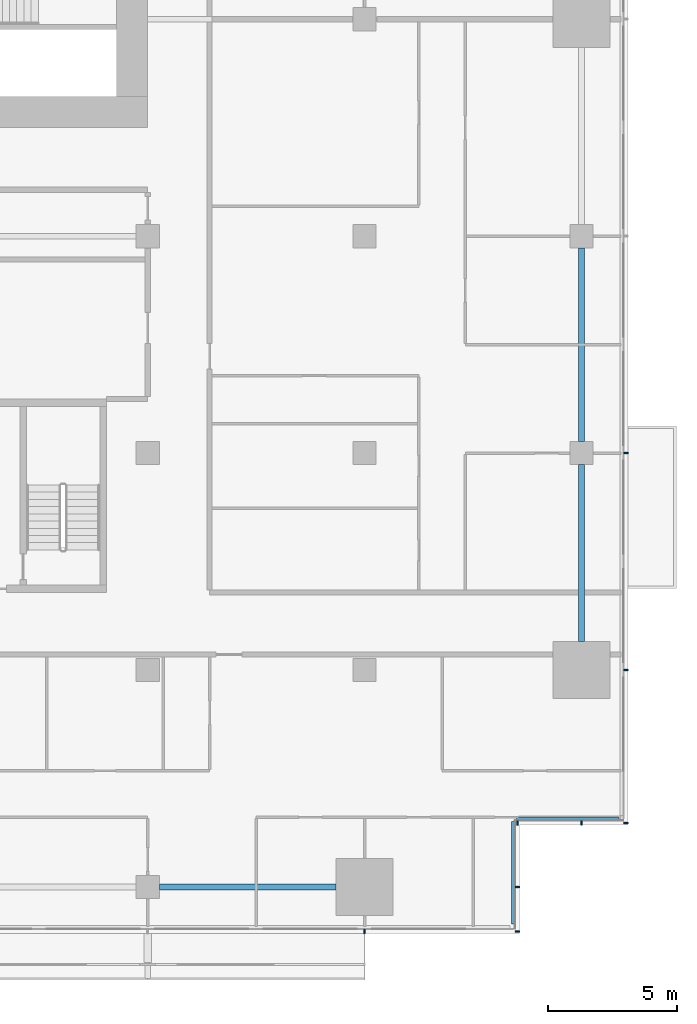
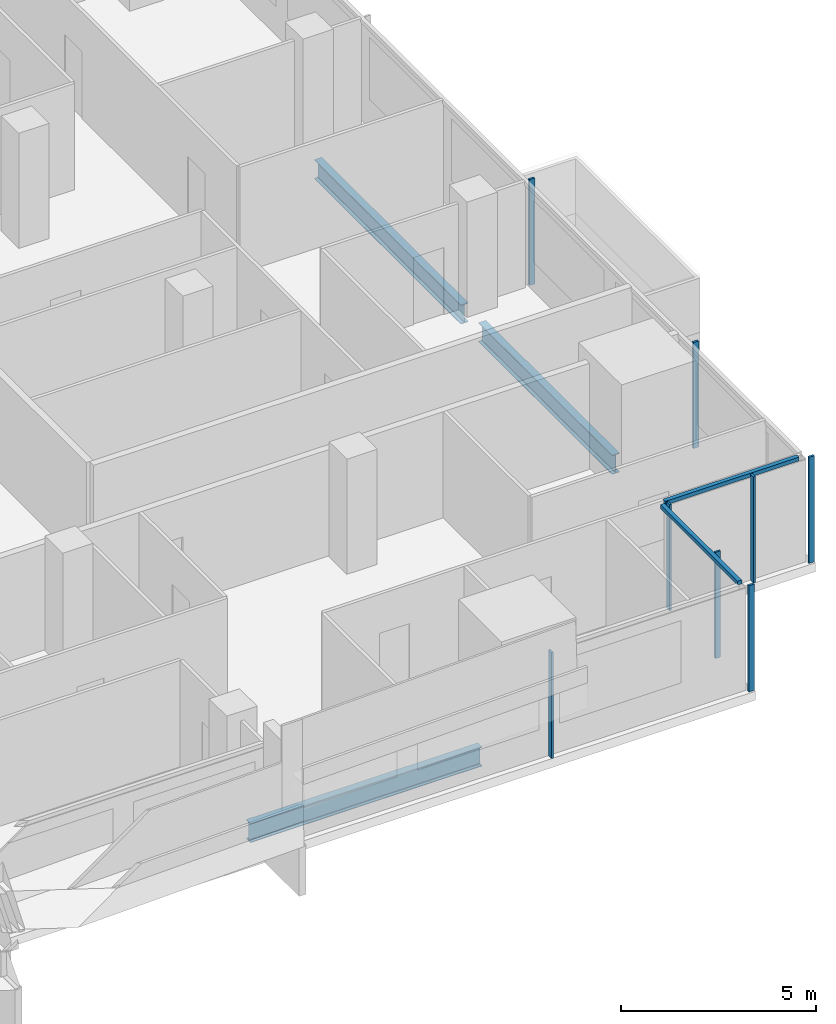
# One storey, part 11 of 27: 10 members, 3 beams, 4 elements without a shape of their own.
"""IFC4 building model written with IfcOpenShell, lengths in metres."""

from ifc_helpers import new_model, si_unit, direction, frame, origin, origin_2d, place, context, subcontext, project, spatial, rectangle, i_section, extrude, material, material_profile, profile_set, type_object, element, aggregate, save


model = new_model("IFC4")

# Units and contexts
model_context = context("Model", 3, precision=1e-05, world=origin(), true_north=direction((0.0, 1.0)))
body_context = subcontext(model_context, "Body", "Model", "MODEL_VIEW")
ifc_project = project(units=[si_unit("LENGTHUNIT", "METRE"), si_unit("AREAUNIT", "SQUARE_METRE"), si_unit("VOLUMEUNIT", "CUBIC_METRE"), si_unit("PLANEANGLEUNIT", "RADIAN"), si_unit("MASSUNIT", "GRAM", prefix="KILO")], contexts=[model_context])

# Site, building, storey
site_placement = place(None, origin())
site = spatial("IfcSite", under=ifc_project, at=site_placement, CompositionType="ELEMENT")
building_placement = place(site_placement, origin())
building = spatial("IfcBuilding", under=site, at=building_placement, Name="Saffron Gate Tower", CompositionType="ELEMENT")
storey_placement = place(building_placement, frame((0.0, 0.0, 66.0)))
storey = spatial("IfcBuildingStorey", under=building, at=storey_placement, Name="L15", CompositionType="ELEMENT", Elevation=66.0)

# Beams
ifc_material_1 = material(Name="Structural steel S355", Category="steel")
ifc_material_profile_1 = material_profile(ifc_material_1, i_section(OverallWidth=0.219970703125, OverallDepth=0.60009765625, WebThickness=0.011962890625, FlangeThickness=0.01904296875, FilletRadius=0.02392578125, at=origin_2d()))
ifc_profile_set_1 = profile_set([ifc_material_profile_1], Name="Structural steel S355")
beam_type = type_object("IfcBeamType", Name="B16 IPE 600", PredefinedType="SPANDREL", material=ifc_profile_set_1)
for number, where, z_axis, x_axis, name in (
    (1, (109.050048828125, 31.800048828125, -0.580078125), (1.0, 0.0, 0.0), (0.0, 1.0, 0.0), "B16 SPANDREL BEAM"),
    (2, (125.39990234375, 41.300048828125, -0.580078125), (0.0, 1.0, 0.0), (-1.0, 0.0, 0.0), "B16 SPANDREL BEAM"),
):
    element("IfcBeam", number, at=place(storey_placement, frame(where, z_axis=z_axis, x_axis=x_axis)), inside=storey, type_object=beam_type, Name=name, PredefinedType="SPANDREL", context=body_context, shape_type="SweptSolid", body=[
        extrude(i_section(OverallWidth=0.219970703125, OverallDepth=0.60009765625, WebThickness=0.011962890625, FlangeThickness=0.01904296875, FilletRadius=0.02392578125, at=origin_2d()), origin(), (0.0, 0.0, 1.0), 6.849853515625),
    ])
beam_placement = place(storey_placement, frame((125.39990234375, 49.050048828125, -0.580078125), z_axis=(0.0, 1.0, 0.0), x_axis=(-1.0, 0.0, 0.0)))
element("IfcBeam", 3, at=beam_placement, inside=storey, type_object=beam_type, Name="B16 SPANDREL BEAM", PredefinedType="SPANDREL", context=body_context, shape_type="SweptSolid", body=[
    extrude(i_section(OverallWidth=0.219970703125, OverallDepth=0.60009765625, WebThickness=0.011962890625, FlangeThickness=0.01904296875, FilletRadius=0.02392578125, at=origin_2d()), origin(), (0.0, 0.0, 1.0), 7.5),
])

# Curtain wall, member
ifc_material_2 = material(Name="Aluminium, bronze anodised", Category="aluminium")
curtain_wall_type_1 = type_object("IfcCurtainWallType", Name="CWS1 curtain wall front facade", PredefinedType="NOTDEFINED", material=ifc_material_2)
curtain_wall_1_placement = place(storey_placement, origin())
curtain_wall_1 = element("IfcCurtainWall", 4, at=curtain_wall_1_placement, inside=storey, type_object=curtain_wall_type_1, Name="CWS1 run 1", PredefinedType="NOTDEFINED")
ifc_material_profile_2 = material_profile(ifc_material_2, rectangle(XDim=0.159912109375, YDim=0.06005859375, at=origin_2d()))
ifc_profile_set_2 = profile_set([ifc_material_profile_2], Name="Aluminium, bronze anodised")
member_type_1 = type_object("IfcMemberType", Name="CWS1 mullion 60x160", PredefinedType="MULLION", material=ifc_profile_set_2)
member_1_placement = place(storey_placement, frame((117.0, 30.080078125, 0.0), z_axis=(0.0, 0.0, 1.0), x_axis=(0.0, 1.0, 0.0)))
member_1 = element("IfcMember", 5, at=member_1_placement, type_object=member_type_1, Name="CWS1 mullion 9", PredefinedType="MULLION", context=body_context, shape_type="SweptSolid", body=[
    extrude(rectangle(XDim=0.159912109375, YDim=0.06005859375, at=origin_2d()), origin(), (0.0, 0.0, 1.0), 3.320068359375),
])
aggregate(curtain_wall_1, [member_1])

# Curtain wall, members
curtain_wall_type_2 = type_object("IfcCurtainWallType", Name="CWS2 curtain wall side facades", PredefinedType="NOTDEFINED", material=ifc_material_2)
curtain_wall_2_placement = place(storey_placement, origin())
curtain_wall_2 = element("IfcCurtainWall", 6, at=curtain_wall_2_placement, inside=storey, type_object=curtain_wall_type_2, Name="CWS2 run 4", PredefinedType="NOTDEFINED")
ifc_material_profile_3 = material_profile(ifc_material_2, rectangle(XDim=0.159912109375, YDim=0.06005859375, at=origin_2d()))
ifc_profile_set_3 = profile_set([ifc_material_profile_3], Name="Aluminium, bronze anodised")
member_type_2 = type_object("IfcMemberType", Name="CWS2 mullion 60x160", PredefinedType="MULLION", material=ifc_profile_set_3)
member_2_placement = place(storey_placement, frame((127.1201171875, 34.280029296875, 0.0), z_axis=(0.0, 0.0, 1.0), x_axis=(-1.0, 0.0, 0.0)))
member_2 = element("IfcMember", 7, at=member_2_placement, type_object=member_type_2, Name="CWS2 mullion 1", PredefinedType="MULLION", context=body_context, shape_type="SweptSolid", body=[
    extrude(rectangle(XDim=0.159912109375, YDim=0.06005859375, at=origin_2d()), origin(), (0.0, 0.0, 1.0), 3.320068359375),
])
member_3_placement = place(storey_placement, frame((127.1201171875, 40.199951171875, 0.0), z_axis=(0.0, 0.0, 1.0), x_axis=(-1.0, 0.0, 0.0)))
member_3 = element("IfcMember", 8, at=member_3_placement, type_object=member_type_2, Name="CWS2 mullion 2", PredefinedType="MULLION", context=body_context, shape_type="SweptSolid", body=[
    extrude(rectangle(XDim=0.159912109375, YDim=0.06005859375, at=origin_2d()), origin(), (0.0, 0.0, 1.0), 3.320068359375),
])
member_4_placement = place(storey_placement, frame((127.1201171875, 48.60009765625, 0.0), z_axis=(0.0, 0.0, 1.0), x_axis=(-1.0, 0.0, 0.0)))
member_4 = element("IfcMember", 9, at=member_4_placement, type_object=member_type_2, Name="CWS2 mullion 3", PredefinedType="MULLION", context=body_context, shape_type="SweptSolid", body=[
    extrude(rectangle(XDim=0.159912109375, YDim=0.06005859375, at=origin_2d()), origin(), (0.0, 0.0, 1.0), 3.320068359375),
])
aggregate(curtain_wall_2, [member_2, member_3, member_4])

# Curtain wall, member
curtain_wall_type_3 = type_object("IfcCurtainWallType", Name="CWS4 curtain wall corner returns", PredefinedType="NOTDEFINED", material=ifc_material_2)
curtain_wall_3_placement = place(storey_placement, origin())
curtain_wall_3 = element("IfcCurtainWall", 10, at=curtain_wall_3_placement, inside=storey, type_object=curtain_wall_type_3, Name="CWS4 run 2", PredefinedType="NOTDEFINED")
ifc_material_profile_4 = material_profile(ifc_material_2, rectangle(XDim=0.1201171875, YDim=0.1201171875, at=origin_2d()))
ifc_profile_set_4 = profile_set([ifc_material_profile_4], Name="Aluminium, bronze anodised")
member_type_3 = type_object("IfcMemberType", Name="CWS4 head transom", PredefinedType="USERDEFINED", material=ifc_profile_set_4)
member_5_placement = place(storey_placement, frame((122.751953125, 30.367919921875, 3.260009765625), z_axis=(0.0, 1.0, 0.0), x_axis=(-1.0, 0.0, 0.0)))
member_5 = element("IfcMember", 11, at=member_5_placement, type_object=member_type_3, Name="CWS4 head transom", ObjectType="TRANSOM", PredefinedType="USERDEFINED", context=body_context, shape_type="SweptSolid", body=[
    extrude(rectangle(XDim=0.1201171875, YDim=0.1201171875, at=origin_2d()), origin(), (0.0, 0.0, 1.0), 3.9599609375),
])

curtain_wall_4_placement = place(storey_placement, origin())
curtain_wall_4 = element("IfcCurtainWall", 12, at=curtain_wall_4_placement, inside=storey, type_object=curtain_wall_type_3, Name="CWS4 run 3", PredefinedType="NOTDEFINED")
member_6_placement = place(storey_placement, frame((122.8720703125, 34.447998046875, 3.260009765625), z_axis=(1.0, 0.0, 0.0), x_axis=(0.0, 1.0, 0.0)))
member_6 = element("IfcMember", 13, at=member_6_placement, type_object=member_type_3, Name="CWS4 head transom", ObjectType="TRANSOM", PredefinedType="USERDEFINED", context=body_context, shape_type="SweptSolid", body=[
    extrude(rectangle(XDim=0.1201171875, YDim=0.1201171875, at=origin_2d()), origin(), (0.0, 0.0, 1.0), 3.9599609375),
])

# Member
ifc_material_profile_5 = material_profile(ifc_material_2, rectangle(XDim=0.159912109375, YDim=0.06005859375, at=origin_2d()))
ifc_profile_set_5 = profile_set([ifc_material_profile_5], Name="Aluminium, bronze anodised")
member_type_4 = type_object("IfcMemberType", Name="CWS4 mullion 60x160", PredefinedType="MULLION", material=ifc_profile_set_5)
member_7_placement = place(storey_placement, frame((122.919921875, 30.080078125, 0.0), z_axis=(0.0, 0.0, 1.0), x_axis=(-1.0, 0.0, 0.0)))
member_7 = element("IfcMember", 14, at=member_7_placement, type_object=member_type_4, Name="CWS4 mullion 1", PredefinedType="MULLION", context=body_context, shape_type="SweptSolid", body=[
    extrude(rectangle(XDim=0.159912109375, YDim=0.06005859375, at=origin_2d()), origin(), (0.0, 0.0, 1.0), 3.320068359375),
])

member_8_placement = place(storey_placement, frame((122.919921875, 31.800048828125, 0.0), z_axis=(0.0, 0.0, 1.0), x_axis=(-1.0, 0.0, 0.0)))
member_8 = element("IfcMember", 15, at=member_8_placement, type_object=member_type_4, Name="CWS4 mullion 2", PredefinedType="MULLION", context=body_context, shape_type="SweptSolid", body=[
    extrude(rectangle(XDim=0.159912109375, YDim=0.06005859375, at=origin_2d()), origin(), (0.0, 0.0, 1.0), 3.320068359375),
])

aggregate(curtain_wall_3, [member_7, member_8, member_5])

member_9_placement = place(storey_placement, frame((122.919921875, 34.280029296875, 0.0), z_axis=(0.0, 0.0, 1.0), x_axis=(0.0, 1.0, 0.0)))
member_9 = element("IfcMember", 16, at=member_9_placement, type_object=member_type_4, Name="CWS4 mullion 1", PredefinedType="MULLION", context=body_context, shape_type="SweptSolid", body=[
    extrude(rectangle(XDim=0.159912109375, YDim=0.06005859375, at=origin_2d()), origin(), (0.0, 0.0, 1.0), 3.320068359375),
])

member_10_placement = place(storey_placement, frame((125.39990234375, 34.280029296875, 0.0), z_axis=(0.0, 0.0, 1.0), x_axis=(0.0, 1.0, 0.0)))
member_10 = element("IfcMember", 17, at=member_10_placement, type_object=member_type_4, Name="CWS4 mullion 2", PredefinedType="MULLION", context=body_context, shape_type="SweptSolid", body=[
    extrude(rectangle(XDim=0.159912109375, YDim=0.06005859375, at=origin_2d()), origin(), (0.0, 0.0, 1.0), 3.320068359375),
])

aggregate(curtain_wall_4, [member_9, member_10, member_6])

save(model, "model.ifc")
